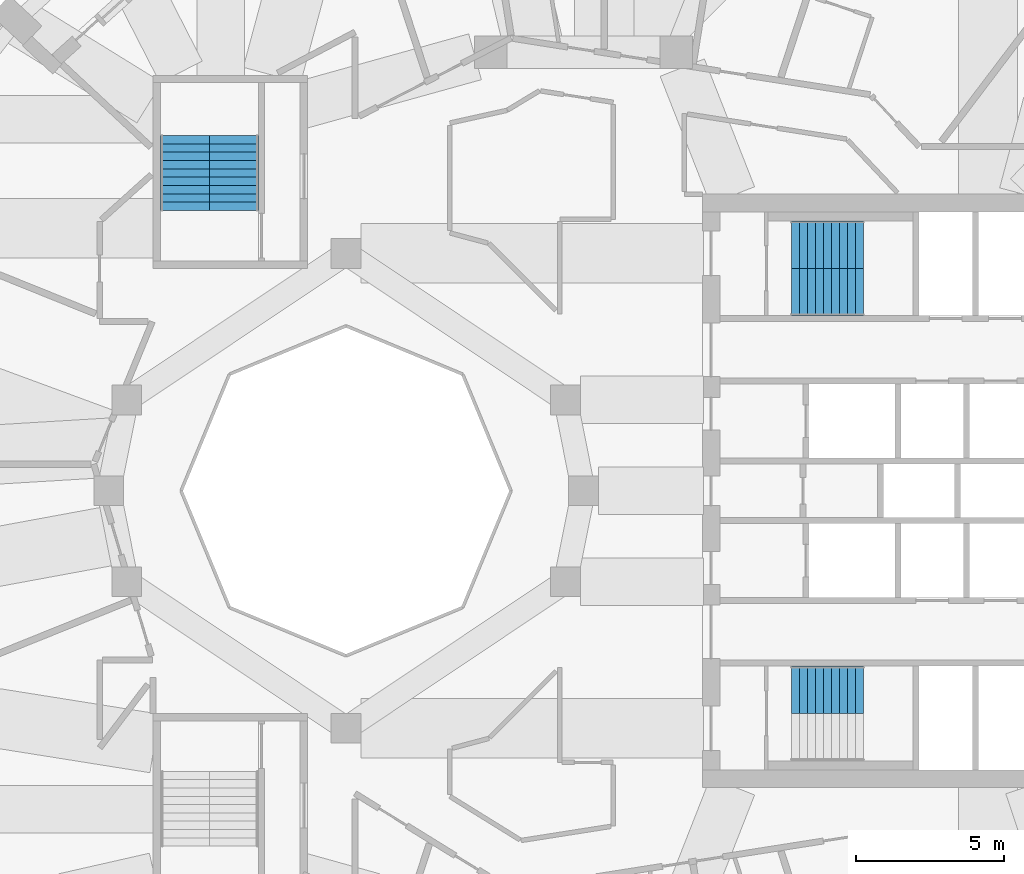
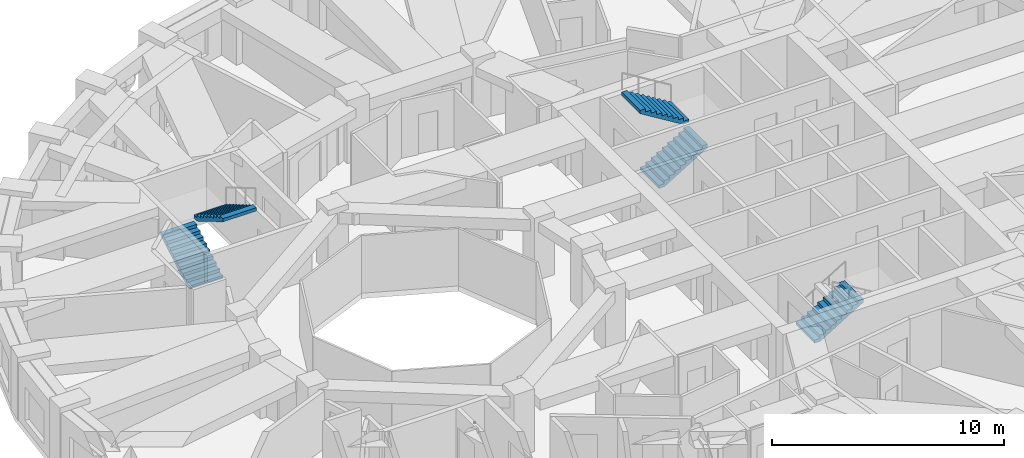
# One storey, part 9 of 12: 5 stair flights, 3 elements without a shape of their own.
"""IFC4 building model written with IfcOpenShell, lengths in metres."""

from ifc_helpers import new_model, si_unit, direction, frame, origin, place, context, subcontext, project, spatial, polyline, outline, extrude, material, type_object, element, aggregate, save


model = new_model("IFC4")

# Units and contexts
model_context = context("Model", 3, precision=1e-05, world=origin(), true_north=direction((0.0, 1.0)))
body_context = subcontext(model_context, "Body", "Model", "MODEL_VIEW")
ifc_project = project(units=[si_unit("LENGTHUNIT", "METRE"), si_unit("AREAUNIT", "SQUARE_METRE"), si_unit("VOLUMEUNIT", "CUBIC_METRE"), si_unit("PLANEANGLEUNIT", "RADIAN"), si_unit("MASSUNIT", "GRAM", prefix="KILO")], contexts=[model_context])

# Site, building, storey
site_placement = place(None, origin())
site = spatial("IfcSite", under=ifc_project, at=site_placement, CompositionType="ELEMENT")
building_placement = place(site_placement, origin())
building = spatial("IfcBuilding", under=site, at=building_placement, Name="Taillehof Tower", CompositionType="ELEMENT")
storey_placement = place(building_placement, frame((0.0, 0.0, 215.60009765625)))
storey = spatial("IfcBuildingStorey", under=building, at=storey_placement, Name="L61", CompositionType="ELEMENT", Elevation=215.60009765625)

# Stair, stair flights
ifc_material_1 = material(Name="Concrete C40/50", Category="concrete")
stair_type = type_object("IfcStairType", Name="Exit stair half-turn", PredefinedType="HALF_TURN_STAIR", material=ifc_material_1)
stair_1_placement = place(storey_placement, origin())
stair_1 = element("IfcStair", 1, at=stair_1_placement, inside=storey, type_object=stair_type, Name="Exit stair S1", PredefinedType="HALF_TURN_STAIR")
ifc_material_2 = material(Name="Concrete C40/50", Category="concrete")
stair_flight_type_1 = type_object("IfcStairFlightType", Name="Stair flight 1600 riser 165.0 going 270", PredefinedType="STRAIGHT", material=ifc_material_2)
stair_flight_1_placement = place(storey_placement, frame((7.0, 6.699951171875, 0.0), z_axis=(0.0, 0.0, 1.0), x_axis=(1.0, 0.0, 0.0)))
stair_flight_1 = element("IfcStairFlight", 2, at=stair_flight_1_placement, type_object=stair_flight_type_1, Name="S1 flight 1", NumberOfRisers=10, NumberOfTreads=9, PredefinedType="STRAIGHT", RiserHeight=0.165, TreadLength=0.27, context=body_context, shape_type="SweptSolid", body=[
    extrude(outline(polyline([(0.0, 0.0), (0.0, 0.00537109375), (0.0, 0.0107421875), (0.0, 0.015869140625), (0.0, 0.021240234375), (0.0, 0.026611328125), (0.0, 0.031982421875), (0.0, 0.037353515625), (0.0, 0.04248046875), (0.0, 0.0478515625), (0.0, 0.05322265625), (0.0, 0.05859375), (0.0, 0.06396484375), (0.0, 0.069091796875), (0.0, 0.074462890625), (0.0, 0.079833984375), (0.0, 0.085205078125), (0.0, 0.090576171875), (0.0, 0.095703125), (0.0, 0.10107421875), (0.0, 0.1064453125), (0.0, 0.11181640625), (0.0, 0.1171875), (0.0, 0.122314453125), (0.0, 0.127685546875), (0.0, 0.133056640625), (0.0, 0.138427734375), (0.0, 0.143798828125), (0.0, 0.14892578125), (0.0, 0.154296875), (0.0, 0.15966796875), (0.0, 0.1650390625), (0.27001953125, 0.1650390625), (0.27001953125, 0.330078125), (0.5400390625, 0.330078125), (0.5400390625, 0.4951171875), (0.81005859375, 0.4951171875), (0.81005859375, 0.659912109375), (1.080078125, 0.659912109375), (1.080078125, 0.824951171875), (1.35009765625, 0.824951171875), (1.35009765625, 0.989990234375), (1.6201171875, 0.989990234375), (1.6201171875, 1.155029296875), (1.889892578125, 1.155029296875), (1.889892578125, 1.320068359375), (2.159912109375, 1.320068359375), (2.159912109375, 1.485107421875), (2.429931640625, 1.485107421875), (2.429931640625, 1.479248046875), (2.429931640625, 1.4736328125), (2.429931640625, 1.468017578125), (2.429931640625, 1.46240234375), (2.429931640625, 1.45654296875), (2.429931640625, 1.450927734375), (2.429931640625, 1.4453125), (2.429931640625, 1.439697265625), (2.429931640625, 1.43408203125), (2.429931640625, 1.42822265625), (2.429931640625, 1.422607421875), (2.429931640625, 1.4169921875), (2.429931640625, 1.411376953125), (2.429931640625, 1.40576171875), (2.429931640625, 1.39990234375), (2.429931640625, 1.394287109375), (2.429931640625, 1.388671875), (2.429931640625, 1.383056640625), (2.429931640625, 1.37744140625), (2.429931640625, 1.37158203125), (2.429931640625, 1.365966796875), (2.429931640625, 1.3603515625), (2.429931640625, 1.354736328125), (2.429931640625, 1.348876953125), (2.429931640625, 1.34326171875), (2.429931640625, 1.337646484375), (2.429931640625, 1.33203125), (2.429931640625, 1.326416015625), (2.429931640625, 1.320556640625), (2.429931640625, 1.31494140625), (2.429931640625, 1.309326171875), (0.287353515625, 0.0), (0.0, 0.0)])), frame((0.0, 0.800048828125, 0.0), z_axis=(0.0, -1.0, 0.0), x_axis=(1.0, 0.0, 0.0)), (0.0, 0.0, 1.0), 1.6),
])
stair_flight_2_placement = place(storey_placement, frame((9.429931640625, 8.300048828125, 1.64990234375), z_axis=(0.0, 0.0, 1.0), x_axis=(-1.0, 0.0, 0.0)))
stair_flight_2 = element("IfcStairFlight", 3, at=stair_flight_2_placement, type_object=stair_flight_type_1, Name="S1 flight 2", NumberOfRisers=10, NumberOfTreads=9, PredefinedType="STRAIGHT", RiserHeight=0.165, TreadLength=0.27, context=body_context, shape_type="SweptSolid", body=[
    extrude(outline(polyline([(0.0, 0.0), (0.0, 0.00537109375), (0.0, 0.0107421875), (0.0, 0.015869140625), (0.0, 0.021240234375), (0.0, 0.026611328125), (0.0, 0.031982421875), (0.0, 0.037353515625), (0.0, 0.04248046875), (0.0, 0.0478515625), (0.0, 0.05322265625), (0.0, 0.05859375), (0.0, 0.06396484375), (0.0, 0.069091796875), (0.0, 0.074462890625), (0.0, 0.079833984375), (0.0, 0.085205078125), (0.0, 0.090576171875), (0.0, 0.095703125), (0.0, 0.10107421875), (0.0, 0.1064453125), (0.0, 0.11181640625), (0.0, 0.1171875), (0.0, 0.122314453125), (0.0, 0.127685546875), (0.0, 0.133056640625), (0.0, 0.138427734375), (0.0, 0.143798828125), (0.0, 0.14892578125), (0.0, 0.154296875), (0.0, 0.15966796875), (0.0, 0.1650390625), (0.27001953125, 0.1650390625), (0.27001953125, 0.330078125), (0.5400390625, 0.330078125), (0.5400390625, 0.4951171875), (0.81005859375, 0.4951171875), (0.81005859375, 0.659912109375), (1.080078125, 0.659912109375), (1.080078125, 0.824951171875), (1.35009765625, 0.824951171875), (1.35009765625, 0.989990234375), (1.6201171875, 0.989990234375), (1.6201171875, 1.155029296875), (1.889892578125, 1.155029296875), (1.889892578125, 1.320068359375), (2.159912109375, 1.320068359375), (2.159912109375, 1.485107421875), (2.429931640625, 1.485107421875), (2.429931640625, 1.479248046875), (2.429931640625, 1.4736328125), (2.429931640625, 1.468017578125), (2.429931640625, 1.46240234375), (2.429931640625, 1.45654296875), (2.429931640625, 1.450927734375), (2.429931640625, 1.4453125), (2.429931640625, 1.439697265625), (2.429931640625, 1.43408203125), (2.429931640625, 1.42822265625), (2.429931640625, 1.422607421875), (2.429931640625, 1.4169921875), (2.429931640625, 1.411376953125), (2.429931640625, 1.40576171875), (2.429931640625, 1.39990234375), (2.429931640625, 1.394287109375), (2.429931640625, 1.388671875), (2.429931640625, 1.383056640625), (2.429931640625, 1.37744140625), (2.429931640625, 1.37158203125), (2.429931640625, 1.365966796875), (2.429931640625, 1.3603515625), (2.429931640625, 1.354736328125), (2.429931640625, 1.348876953125), (2.429931640625, 1.34326171875), (2.429931640625, 1.337646484375), (2.429931640625, 1.33203125), (2.429931640625, 1.326416015625), (2.429931640625, 1.320556640625), (2.429931640625, 1.31494140625), (2.429931640625, 1.309326171875), (0.287353515625, 0.0), (0.0, 0.0)])), frame((0.0, 0.800048828125, 0.0), z_axis=(0.0, -1.0, 0.0), x_axis=(1.0, 0.0, 0.0)), (0.0, 0.0, 1.0), 1.6),
])
aggregate(stair_1, [stair_flight_1, stair_flight_2])

# Stair, stair flight
stair_2_placement = place(storey_placement, origin())
stair_2 = element("IfcStair", 4, at=stair_2_placement, inside=storey, type_object=stair_type, Name="Exit stair S2", PredefinedType="HALF_TURN_STAIR")
stair_flight_3_placement = place(storey_placement, frame((7.0, -6.699951171875, 0.0), z_axis=(0.0, 0.0, 1.0), x_axis=(1.0, 0.0, 0.0)))
stair_flight_3 = element("IfcStairFlight", 5, at=stair_flight_3_placement, type_object=stair_flight_type_1, Name="S2 flight 1", NumberOfRisers=10, NumberOfTreads=9, PredefinedType="STRAIGHT", RiserHeight=0.165, TreadLength=0.27, context=body_context, shape_type="SweptSolid", body=[
    extrude(outline(polyline([(0.0, 0.0), (0.0, 0.00537109375), (0.0, 0.0107421875), (0.0, 0.015869140625), (0.0, 0.021240234375), (0.0, 0.026611328125), (0.0, 0.031982421875), (0.0, 0.037353515625), (0.0, 0.04248046875), (0.0, 0.0478515625), (0.0, 0.05322265625), (0.0, 0.05859375), (0.0, 0.06396484375), (0.0, 0.069091796875), (0.0, 0.074462890625), (0.0, 0.079833984375), (0.0, 0.085205078125), (0.0, 0.090576171875), (0.0, 0.095703125), (0.0, 0.10107421875), (0.0, 0.1064453125), (0.0, 0.11181640625), (0.0, 0.1171875), (0.0, 0.122314453125), (0.0, 0.127685546875), (0.0, 0.133056640625), (0.0, 0.138427734375), (0.0, 0.143798828125), (0.0, 0.14892578125), (0.0, 0.154296875), (0.0, 0.15966796875), (0.0, 0.1650390625), (0.27001953125, 0.1650390625), (0.27001953125, 0.330078125), (0.5400390625, 0.330078125), (0.5400390625, 0.4951171875), (0.81005859375, 0.4951171875), (0.81005859375, 0.659912109375), (1.080078125, 0.659912109375), (1.080078125, 0.824951171875), (1.35009765625, 0.824951171875), (1.35009765625, 0.989990234375), (1.6201171875, 0.989990234375), (1.6201171875, 1.155029296875), (1.889892578125, 1.155029296875), (1.889892578125, 1.320068359375), (2.159912109375, 1.320068359375), (2.159912109375, 1.485107421875), (2.429931640625, 1.485107421875), (2.429931640625, 1.479248046875), (2.429931640625, 1.4736328125), (2.429931640625, 1.468017578125), (2.429931640625, 1.46240234375), (2.429931640625, 1.45654296875), (2.429931640625, 1.450927734375), (2.429931640625, 1.4453125), (2.429931640625, 1.439697265625), (2.429931640625, 1.43408203125), (2.429931640625, 1.42822265625), (2.429931640625, 1.422607421875), (2.429931640625, 1.4169921875), (2.429931640625, 1.411376953125), (2.429931640625, 1.40576171875), (2.429931640625, 1.39990234375), (2.429931640625, 1.394287109375), (2.429931640625, 1.388671875), (2.429931640625, 1.383056640625), (2.429931640625, 1.37744140625), (2.429931640625, 1.37158203125), (2.429931640625, 1.365966796875), (2.429931640625, 1.3603515625), (2.429931640625, 1.354736328125), (2.429931640625, 1.348876953125), (2.429931640625, 1.34326171875), (2.429931640625, 1.337646484375), (2.429931640625, 1.33203125), (2.429931640625, 1.326416015625), (2.429931640625, 1.320556640625), (2.429931640625, 1.31494140625), (2.429931640625, 1.309326171875), (0.287353515625, 0.0), (0.0, 0.0)])), frame((0.0, 0.800048828125, 0.0), z_axis=(0.0, -1.0, 0.0), x_axis=(1.0, 0.0, 0.0)), (0.0, 0.0, 1.0), 1.6),
])
aggregate(stair_2, [stair_flight_3])

# Stair, stair flights
stair_3_placement = place(storey_placement, origin())
stair_3 = element("IfcStair", 6, at=stair_3_placement, inside=storey, type_object=stair_type, Name="Exit stair S3", PredefinedType="HALF_TURN_STAIR")
ifc_material_3 = material(Name="Concrete C40/50", Category="concrete")
stair_flight_type_2 = type_object("IfcStairFlightType", Name="Stair flight 1650 riser 165.0 going 280", PredefinedType="STRAIGHT", material=ifc_material_3)
stair_flight_4_placement = place(storey_placement, frame((-13.425048828125, 9.449951171875, 0.0), z_axis=(0.0, 0.0, 1.0), x_axis=(0.0, 1.0, 0.0)))
stair_flight_4 = element("IfcStairFlight", 7, at=stair_flight_4_placement, type_object=stair_flight_type_2, Name="S3 flight 1", NumberOfRisers=10, NumberOfTreads=9, PredefinedType="STRAIGHT", RiserHeight=0.165, TreadLength=0.28, context=body_context, shape_type="SweptSolid", body=[
    extrude(outline(polyline([(0.0, 0.0), (0.0, 0.00537109375), (0.0, 0.0107421875), (0.0, 0.015869140625), (0.0, 0.021240234375), (0.0, 0.026611328125), (0.0, 0.031982421875), (0.0, 0.037353515625), (0.0, 0.04248046875), (0.0, 0.0478515625), (0.0, 0.05322265625), (0.0, 0.05859375), (0.0, 0.06396484375), (0.0, 0.069091796875), (0.0, 0.074462890625), (0.0, 0.079833984375), (0.0, 0.085205078125), (0.0, 0.090576171875), (0.0, 0.095703125), (0.0, 0.10107421875), (0.0, 0.1064453125), (0.0, 0.11181640625), (0.0, 0.1171875), (0.0, 0.122314453125), (0.0, 0.127685546875), (0.0, 0.133056640625), (0.0, 0.138427734375), (0.0, 0.143798828125), (0.0, 0.14892578125), (0.0, 0.154296875), (0.0, 0.15966796875), (0.0, 0.1650390625), (0.280029296875, 0.1650390625), (0.280029296875, 0.330078125), (0.56005859375, 0.330078125), (0.56005859375, 0.4951171875), (0.840087890625, 0.4951171875), (0.840087890625, 0.659912109375), (1.1201171875, 0.659912109375), (1.1201171875, 0.824951171875), (1.39990234375, 0.824951171875), (1.39990234375, 0.989990234375), (1.679931640625, 0.989990234375), (1.679931640625, 1.155029296875), (1.9599609375, 1.155029296875), (1.9599609375, 1.320068359375), (2.239990234375, 1.320068359375), (2.239990234375, 1.485107421875), (2.52001953125, 1.485107421875), (2.52001953125, 1.4794921875), (2.52001953125, 1.473876953125), (2.52001953125, 1.46826171875), (2.52001953125, 1.462646484375), (2.52001953125, 1.45703125), (2.52001953125, 1.451416015625), (2.52001953125, 1.44580078125), (2.52001953125, 1.440185546875), (2.52001953125, 1.4345703125), (2.52001953125, 1.428955078125), (2.52001953125, 1.42333984375), (2.52001953125, 1.417724609375), (2.52001953125, 1.412109375), (2.52001953125, 1.406494140625), (2.52001953125, 1.40087890625), (2.52001953125, 1.395263671875), (2.52001953125, 1.3896484375), (2.52001953125, 1.384033203125), (2.52001953125, 1.37841796875), (2.52001953125, 1.372802734375), (2.52001953125, 1.3671875), (2.52001953125, 1.361572265625), (2.52001953125, 1.35595703125), (2.52001953125, 1.350341796875), (2.52001953125, 1.3447265625), (2.52001953125, 1.339111328125), (2.52001953125, 1.33349609375), (2.52001953125, 1.327880859375), (2.52001953125, 1.322265625), (2.52001953125, 1.316650390625), (2.52001953125, 1.31103515625), (0.295166015625, 0.0), (0.0, 0.0)])), frame((0.0, 0.824951171875, 0.0), z_axis=(0.0, -1.0, 0.0), x_axis=(1.0, 0.0, 0.0)), (0.0, 0.0, 1.0), 1.65),
])
stair_flight_5_placement = place(storey_placement, frame((-11.77490234375, 11.969970703125, 1.64990234375), z_axis=(0.0, 0.0, 1.0), x_axis=(0.0, -1.0, 0.0)))
stair_flight_5 = element("IfcStairFlight", 8, at=stair_flight_5_placement, type_object=stair_flight_type_2, Name="S3 flight 2", NumberOfRisers=10, NumberOfTreads=9, PredefinedType="STRAIGHT", RiserHeight=0.165, TreadLength=0.28, context=body_context, shape_type="SweptSolid", body=[
    extrude(outline(polyline([(0.0, 0.0), (0.0, 0.00537109375), (0.0, 0.0107421875), (0.0, 0.015869140625), (0.0, 0.021240234375), (0.0, 0.026611328125), (0.0, 0.031982421875), (0.0, 0.037353515625), (0.0, 0.04248046875), (0.0, 0.0478515625), (0.0, 0.05322265625), (0.0, 0.05859375), (0.0, 0.06396484375), (0.0, 0.069091796875), (0.0, 0.074462890625), (0.0, 0.079833984375), (0.0, 0.085205078125), (0.0, 0.090576171875), (0.0, 0.095703125), (0.0, 0.10107421875), (0.0, 0.1064453125), (0.0, 0.11181640625), (0.0, 0.1171875), (0.0, 0.122314453125), (0.0, 0.127685546875), (0.0, 0.133056640625), (0.0, 0.138427734375), (0.0, 0.143798828125), (0.0, 0.14892578125), (0.0, 0.154296875), (0.0, 0.15966796875), (0.0, 0.1650390625), (0.280029296875, 0.1650390625), (0.280029296875, 0.330078125), (0.56005859375, 0.330078125), (0.56005859375, 0.4951171875), (0.840087890625, 0.4951171875), (0.840087890625, 0.659912109375), (1.1201171875, 0.659912109375), (1.1201171875, 0.824951171875), (1.39990234375, 0.824951171875), (1.39990234375, 0.989990234375), (1.679931640625, 0.989990234375), (1.679931640625, 1.155029296875), (1.9599609375, 1.155029296875), (1.9599609375, 1.320068359375), (2.239990234375, 1.320068359375), (2.239990234375, 1.485107421875), (2.52001953125, 1.485107421875), (2.52001953125, 1.4794921875), (2.52001953125, 1.473876953125), (2.52001953125, 1.46826171875), (2.52001953125, 1.462646484375), (2.52001953125, 1.45703125), (2.52001953125, 1.451416015625), (2.52001953125, 1.44580078125), (2.52001953125, 1.440185546875), (2.52001953125, 1.4345703125), (2.52001953125, 1.428955078125), (2.52001953125, 1.42333984375), (2.52001953125, 1.417724609375), (2.52001953125, 1.412109375), (2.52001953125, 1.406494140625), (2.52001953125, 1.40087890625), (2.52001953125, 1.395263671875), (2.52001953125, 1.3896484375), (2.52001953125, 1.384033203125), (2.52001953125, 1.37841796875), (2.52001953125, 1.372802734375), (2.52001953125, 1.3671875), (2.52001953125, 1.361572265625), (2.52001953125, 1.35595703125), (2.52001953125, 1.350341796875), (2.52001953125, 1.3447265625), (2.52001953125, 1.339111328125), (2.52001953125, 1.33349609375), (2.52001953125, 1.327880859375), (2.52001953125, 1.322265625), (2.52001953125, 1.316650390625), (2.52001953125, 1.31103515625), (0.295166015625, 0.0), (0.0, 0.0)])), frame((0.0, 0.824951171875, 0.0), z_axis=(0.0, -1.0, 0.0), x_axis=(1.0, 0.0, 0.0)), (0.0, 0.0, 1.0), 1.65),
])
aggregate(stair_3, [stair_flight_4, stair_flight_5])

save(model, "model.ifc")
